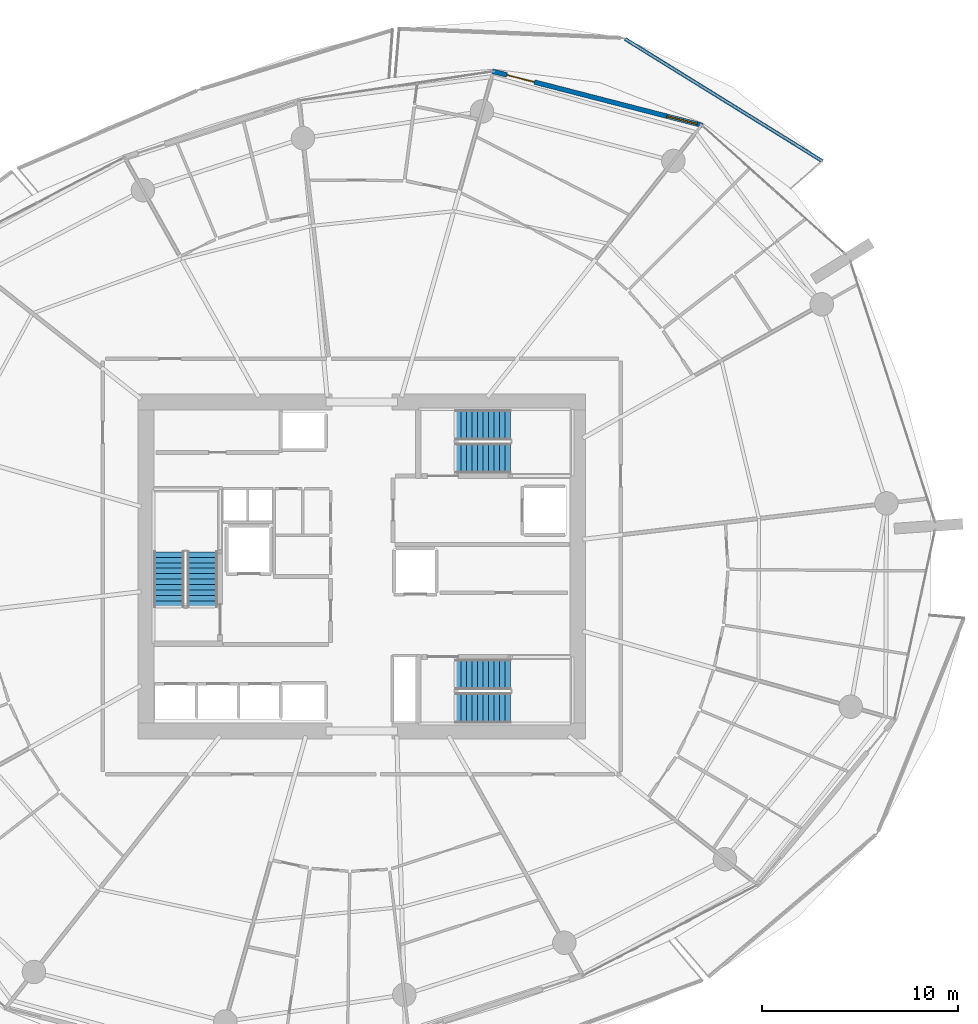
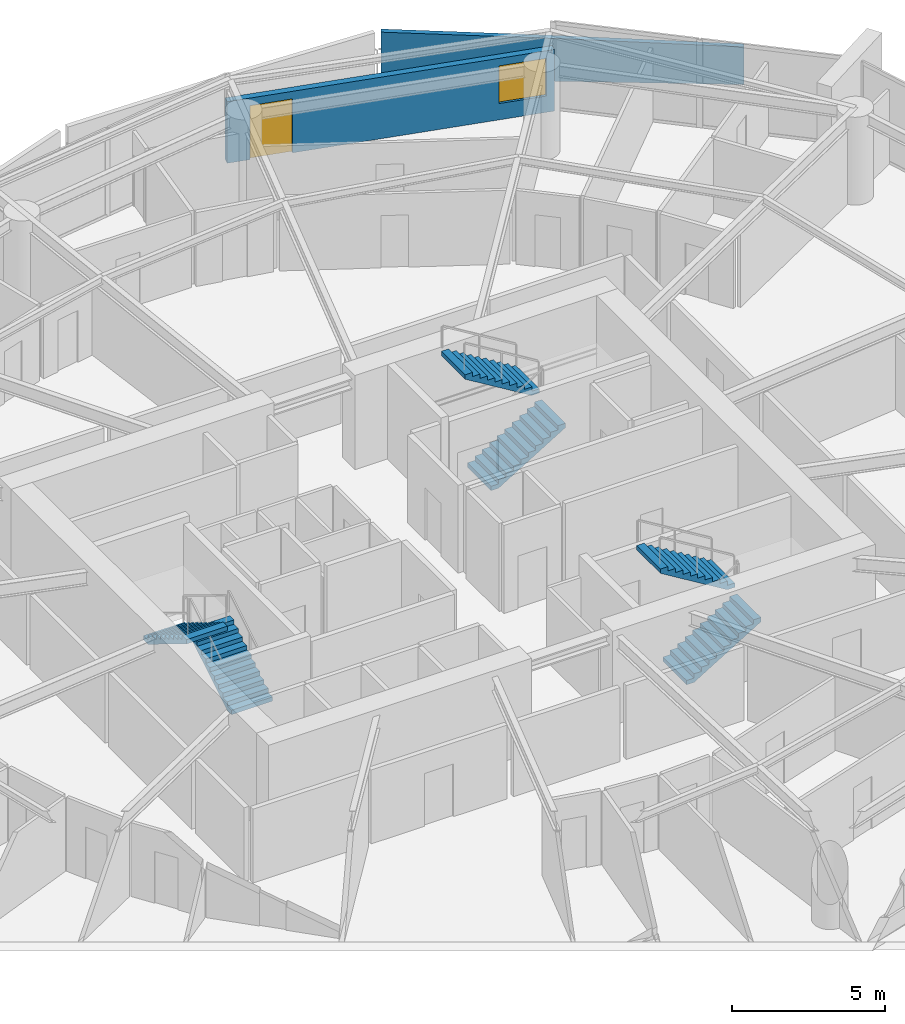
# One storey, part 16 of 23: 6 stair flights, 2 walls, 1 door, 1 window, 2 openings, 3 elements without a shape of their own.
"""IFC4 building model written with IfcOpenShell, lengths in metres."""

from ifc_helpers import new_model, si_unit, direction, frame, frame_2d, origin, place, context, subcontext, project, spatial, polyline, rectangle, outline, extrude, material, layer, layer_set, type_object, element, fill, aggregate, save


model = new_model("IFC4")

# Units and contexts
model_context = context("Model", 3, precision=1e-05, world=origin(), true_north=direction((0.0, 1.0)))
body_context = subcontext(model_context, "Body", "Model", "MODEL_VIEW")
ifc_project = project(units=[si_unit("LENGTHUNIT", "METRE"), si_unit("AREAUNIT", "SQUARE_METRE"), si_unit("VOLUMEUNIT", "CUBIC_METRE"), si_unit("PLANEANGLEUNIT", "RADIAN"), si_unit("MASSUNIT", "GRAM", prefix="KILO")], contexts=[model_context])

# Site, building, storey
site_placement = place(None, origin())
site = spatial("IfcSite", under=ifc_project, at=site_placement, CompositionType="ELEMENT")
building_placement = place(site_placement, origin())
building = spatial("IfcBuilding", under=site, at=building_placement, Name="Kazma Halo Residences", CompositionType="ELEMENT")
storey_placement = place(building_placement, frame((0.0, 0.0, 97.64990234375)))
storey = spatial("IfcBuildingStorey", under=building, at=storey_placement, Name="L24", CompositionType="ELEMENT", Elevation=97.64990234375)

# Wall
ifc_material_1 = material(Name="White Concrete C50/60 Balustrade", Category="concrete")
ifc_layer_1 = layer(ifc_material_1, 0.179931640625)
ifc_layer_set_1 = layer_set([ifc_layer_1], Name="White Concrete C50/60 Balustrade")
wall_type_1 = type_object("IfcWallType", Name="WL-BAL-WAVE-180", PredefinedType="PARAPET", material=ifc_layer_set_1)
wall_1_placement = place(storey_placement, frame((71.934814453125, 62.696533203125, 0.0), z_axis=(0.0, 0.0, 1.0), x_axis=(-0.850140442318, 0.526556006836, 0.0)))
element("IfcWall", 1, at=wall_1_placement, inside=storey, type_object=wall_type_1, Name="L24 white wave balustrade wall NE.1", PredefinedType="PARAPET", context=body_context, shape_type="SweptSolid", body=[
    extrude(outline(polyline([(0.0, 0.0), (11.8515625, 0.0), (11.8515625, 1.83203125), (5.92578125, 1.696044921875), (0.0, 1.4970703125), (0.0, 0.0)])), frame((0.0, 0.08984375, 0.0), z_axis=(0.0, -1.0, 0.0), x_axis=(1.0, 0.0, 0.0)), (0.0, 0.0, 1.0), 0.179931640625),
])

# Wall, openings, door, window
ifc_material_2 = material(Name="Insulated Pale-Metal Composite Wall")
ifc_layer_2 = layer(ifc_material_2, 0.239990234375)
ifc_layer_set_2 = layer_set([ifc_layer_2], Name="Insulated Pale-Metal Composite Wall")
wall_type_2 = type_object("IfcWallType", Name="WL-EXT-HOST-240", PredefinedType="SOLIDWALL", material=ifc_layer_set_2)
wall_2_placement = place(storey_placement, frame((65.81396484375, 64.52294921875, 0.0), z_axis=(0.0, 0.0, 1.0), x_axis=(-0.968356180858, 0.249572248045, 0.0)))
wall_2 = element("IfcWall", 2, at=wall_2_placement, inside=storey, type_object=wall_type_2, Name="L24 exterior terrace-access wall B02", PredefinedType="SOLIDWALL", context=body_context, shape_type="SweptSolid", body=[
    extrude(rectangle(XDim=11.08447265625, YDim=0.239990234375, at=frame_2d((5.542236328125, 0.0))), origin(), (0.0, 0.0, 1.0), 2.4501953125),
])
opening_1_placement = place(wall_2_placement, frame((8.864501953125, 0.0, 0.0)))
opening_1 = element("IfcOpeningElement", 3, at=opening_1_placement, cuts=wall_2, Name="Opening DTR-1600", PredefinedType="OPENING", context=body_context, shape_type="SweptSolid", body=[
    extrude(rectangle(XDim=1.449951171875, YDim=2.14990234375, at=frame_2d((0.72509765625, 1.074951171875))), frame((0.0, 0.1298828125, 0.0), z_axis=(0.0, -1.0, 0.0), x_axis=(1.0, 0.0, 0.0)), (0.0, 0.0, 1.0), 0.260009765625),
])
opening_2_placement = place(wall_2_placement, frame((0.280029296875, 0.0, 0.64990234375)))
opening_2 = element("IfcOpeningElement", 4, at=opening_2_placement, cuts=wall_2, Name="Opening W-1800", PredefinedType="OPENING", context=body_context, shape_type="SweptSolid", body=[
    extrude(rectangle(XDim=1.60009765625, YDim=1.5, at=frame_2d((0.800048828125, 0.75))), frame((0.0, 0.1298828125, 0.0), z_axis=(0.0, -1.0, 0.0), x_axis=(1.0, 0.0, 0.0)), (0.0, 0.0, 1.0), 0.260009765625),
])
ifc_material_3 = material(Name="Aluminium AW-6063 T6 Double-Glazed Terrace Door", Category="aluminium")
door_type = type_object("IfcDoorType", Name="DR-EXT-TERR-1600", OperationType="NOTDEFINED", PredefinedType="DOOR", material=ifc_material_3)
door_placement = place(opening_1_placement, origin())
door = element("IfcDoor", 5, at=door_placement, inside=storey, type_object=door_type, Name="L24 B02 balcony terrace door", OperationType="DOUBLE_DOOR_SLIDING", OverallHeight=2.14990234375, OverallWidth=1.449951171875, PredefinedType="DOOR", context=body_context, shape_type="SweptSolid", body=[
    extrude(rectangle(XDim=1.449951171875, YDim=2.14990234375, at=frame_2d((0.72509765625, 1.074951171875))), frame((0.0, 0.02490234375, 0.0), z_axis=(0.0, -1.0, 0.0), x_axis=(1.0, 0.0, 0.0)), (0.0, 0.0, 1.0), 0.050048828125),
])
fill(opening_1, door)
ifc_material_4 = material(Name="Clear Triple-Silver Low-E Glass in Aluminium AW-6063 T6 Frame", Category="aluminium")
window_type = type_object("IfcWindowType", Name="WIN-RES-1800", PartitioningType="DOUBLE_PANEL_VERTICAL", PredefinedType="WINDOW", material=ifc_material_4)
window_placement = place(opening_2_placement, origin())
window = element("IfcWindow", 6, at=window_placement, inside=storey, type_object=window_type, Name="L24 B02 apartment window", OverallHeight=1.5, OverallWidth=1.60009765625, PartitioningType="SINGLE_PANEL", PredefinedType="WINDOW", context=body_context, shape_type="SweptSolid", body=[
    extrude(rectangle(XDim=1.60009765625, YDim=1.5, at=frame_2d((0.800048828125, 0.75))), frame((0.0, 0.030029296875, 0.0), z_axis=(0.0, -1.0, 0.0), x_axis=(1.0, 0.0, 0.0)), (0.0, 0.0, 1.0), 0.06005859375),
])
fill(opening_2, window)

# Stair, stair flights
ifc_material_5 = material(Name="Concrete C50/60", Category="concrete")
stair_type = type_object("IfcStairType", Name="STR-RES1", PredefinedType="HALF_TURN_STAIR", material=ifc_material_5)
stair_1_placement = place(storey_placement, origin())
stair_1 = element("IfcStair", 7, at=stair_1_placement, inside=storey, type_object=stair_type, Name="L24 Core exit stair ST-01", PredefinedType="HALF_TURN_STAIR")
stair_flight_type = type_object("IfcStairFlightType", Name="STR-RES1-FLT", PredefinedType="STRAIGHT", material=ifc_material_5)
stair_flight_1_placement = place(storey_placement, frame((40.27490234375, 39.949951171875, 0.0), z_axis=(0.0, 0.0, 1.0), x_axis=(0.0, 1.0, 0.0)))
stair_flight_1 = element("IfcStairFlight", 8, at=stair_flight_1_placement, type_object=stair_flight_type, Name="ST-01 flight 1", NumberOfRisers=11, NumberOfTreads=10, PredefinedType="STRAIGHT", RiserHeight=0.170454545, TreadLength=0.28, context=body_context, shape_type="SweptSolid", body=[
    extrude(outline(polyline([(0.0, 0.0), (0.0, 0.17041015625), (0.280029296875, 0.17041015625), (0.280029296875, 0.3408203125), (0.56005859375, 0.3408203125), (0.56005859375, 0.511474609375), (0.840087890625, 0.511474609375), (0.840087890625, 0.681884765625), (1.1201171875, 0.681884765625), (1.1201171875, 0.852294921875), (1.39990234375, 0.852294921875), (1.39990234375, 1.022705078125), (1.679931640625, 1.022705078125), (1.679931640625, 1.193115234375), (1.9599609375, 1.193115234375), (1.9599609375, 1.363525390625), (2.239990234375, 1.363525390625), (2.239990234375, 1.5341796875), (2.52001953125, 1.5341796875), (2.52001953125, 1.70458984375), (2.800048828125, 1.70458984375), (2.800048828125, 1.875), (2.800048828125, 1.529052734375), (0.288330078125, 0.0), (0.0, 0.0)])), frame((0.0, 0.77490234375, 0.0), z_axis=(0.0, -1.0, 0.0), x_axis=(1.0, 0.0, 0.0)), (0.0, 0.0, 1.0), 1.550048828125),
])
stair_flight_2_placement = place(storey_placement, frame((38.574951171875, 42.75, 1.875), z_axis=(0.0, 0.0, 1.0), x_axis=(0.0, -1.0, 0.0)))
stair_flight_2 = element("IfcStairFlight", 9, at=stair_flight_2_placement, type_object=stair_flight_type, Name="ST-01 flight 2", NumberOfRisers=11, NumberOfTreads=10, PredefinedType="STRAIGHT", RiserHeight=0.170454545, TreadLength=0.28, context=body_context, shape_type="SweptSolid", body=[
    extrude(outline(polyline([(0.0, 0.0), (0.0, 0.17041015625), (0.280029296875, 0.17041015625), (0.280029296875, 0.3408203125), (0.56005859375, 0.3408203125), (0.56005859375, 0.511474609375), (0.840087890625, 0.511474609375), (0.840087890625, 0.681884765625), (1.1201171875, 0.681884765625), (1.1201171875, 0.852294921875), (1.39990234375, 0.852294921875), (1.39990234375, 1.022705078125), (1.679931640625, 1.022705078125), (1.679931640625, 1.193115234375), (1.9599609375, 1.193115234375), (1.9599609375, 1.363525390625), (2.239990234375, 1.363525390625), (2.239990234375, 1.5341796875), (2.52001953125, 1.5341796875), (2.52001953125, 1.70458984375), (2.800048828125, 1.70458984375), (2.800048828125, 1.875), (2.800048828125, 1.529052734375), (0.288330078125, 0.0), (0.0, 0.0)])), frame((0.0, 0.77490234375, 0.0), z_axis=(0.0, -1.0, 0.0), x_axis=(1.0, 0.0, 0.0)), (0.0, 0.0, 1.0), 1.550048828125),
])
aggregate(stair_1, [stair_flight_1, stair_flight_2])

stair_2_placement = place(storey_placement, origin())
stair_2 = element("IfcStair", 10, at=stair_2_placement, inside=storey, type_object=stair_type, Name="L24 Core exit stair ST-02", PredefinedType="HALF_TURN_STAIR")
stair_flight_3_placement = place(storey_placement, frame((53.199951171875, 47.52490234375, 0.0), z_axis=(0.0, 0.0, 1.0), x_axis=(1.0, 0.0, 0.0)))
stair_flight_3 = element("IfcStairFlight", 11, at=stair_flight_3_placement, type_object=stair_flight_type, Name="ST-02 flight 1", NumberOfRisers=11, NumberOfTreads=10, PredefinedType="STRAIGHT", RiserHeight=0.170454545, TreadLength=0.28, context=body_context, shape_type="SweptSolid", body=[
    extrude(outline(polyline([(0.0, 0.0), (0.0, 0.17041015625), (0.280029296875, 0.17041015625), (0.280029296875, 0.3408203125), (0.56005859375, 0.3408203125), (0.56005859375, 0.511474609375), (0.840087890625, 0.511474609375), (0.840087890625, 0.681884765625), (1.1201171875, 0.681884765625), (1.1201171875, 0.852294921875), (1.39990234375, 0.852294921875), (1.39990234375, 1.022705078125), (1.679931640625, 1.022705078125), (1.679931640625, 1.193115234375), (1.9599609375, 1.193115234375), (1.9599609375, 1.363525390625), (2.239990234375, 1.363525390625), (2.239990234375, 1.5341796875), (2.52001953125, 1.5341796875), (2.52001953125, 1.70458984375), (2.800048828125, 1.70458984375), (2.800048828125, 1.875), (2.800048828125, 1.529052734375), (0.288330078125, 0.0), (0.0, 0.0)])), frame((0.0, 0.77490234375, 0.0), z_axis=(0.0, -1.0, 0.0), x_axis=(1.0, 0.0, 0.0)), (0.0, 0.0, 1.0), 1.550048828125),
])
stair_flight_4_placement = place(storey_placement, frame((56.0, 49.22509765625, 1.875), z_axis=(0.0, 0.0, 1.0), x_axis=(-1.0, 0.0, 0.0)))
stair_flight_4 = element("IfcStairFlight", 12, at=stair_flight_4_placement, type_object=stair_flight_type, Name="ST-02 flight 2", NumberOfRisers=11, NumberOfTreads=10, PredefinedType="STRAIGHT", RiserHeight=0.170454545, TreadLength=0.28, context=body_context, shape_type="SweptSolid", body=[
    extrude(outline(polyline([(0.0, 0.0), (0.0, 0.17041015625), (0.280029296875, 0.17041015625), (0.280029296875, 0.3408203125), (0.56005859375, 0.3408203125), (0.56005859375, 0.511474609375), (0.840087890625, 0.511474609375), (0.840087890625, 0.681884765625), (1.1201171875, 0.681884765625), (1.1201171875, 0.852294921875), (1.39990234375, 0.852294921875), (1.39990234375, 1.022705078125), (1.679931640625, 1.022705078125), (1.679931640625, 1.193115234375), (1.9599609375, 1.193115234375), (1.9599609375, 1.363525390625), (2.239990234375, 1.363525390625), (2.239990234375, 1.5341796875), (2.52001953125, 1.5341796875), (2.52001953125, 1.70458984375), (2.800048828125, 1.70458984375), (2.800048828125, 1.875), (2.800048828125, 1.529052734375), (0.288330078125, 0.0), (0.0, 0.0)])), frame((0.0, 0.77490234375, 0.0), z_axis=(0.0, -1.0, 0.0), x_axis=(1.0, 0.0, 0.0)), (0.0, 0.0, 1.0), 1.550048828125),
])
aggregate(stair_2, [stair_flight_3, stair_flight_4])

stair_3_placement = place(storey_placement, origin())
stair_3 = element("IfcStair", 13, at=stair_3_placement, inside=storey, type_object=stair_type, Name="L24 Core exit stair ST-03", PredefinedType="HALF_TURN_STAIR")
stair_flight_5_placement = place(storey_placement, frame((53.199951171875, 34.77490234375, 0.0), z_axis=(0.0, 0.0, 1.0), x_axis=(1.0, 0.0, 0.0)))
stair_flight_5 = element("IfcStairFlight", 14, at=stair_flight_5_placement, type_object=stair_flight_type, Name="ST-03 flight 1", NumberOfRisers=11, NumberOfTreads=10, PredefinedType="STRAIGHT", RiserHeight=0.170454545, TreadLength=0.28, context=body_context, shape_type="SweptSolid", body=[
    extrude(outline(polyline([(0.0, 0.0), (0.0, 0.17041015625), (0.280029296875, 0.17041015625), (0.280029296875, 0.3408203125), (0.56005859375, 0.3408203125), (0.56005859375, 0.511474609375), (0.840087890625, 0.511474609375), (0.840087890625, 0.681884765625), (1.1201171875, 0.681884765625), (1.1201171875, 0.852294921875), (1.39990234375, 0.852294921875), (1.39990234375, 1.022705078125), (1.679931640625, 1.022705078125), (1.679931640625, 1.193115234375), (1.9599609375, 1.193115234375), (1.9599609375, 1.363525390625), (2.239990234375, 1.363525390625), (2.239990234375, 1.5341796875), (2.52001953125, 1.5341796875), (2.52001953125, 1.70458984375), (2.800048828125, 1.70458984375), (2.800048828125, 1.875), (2.800048828125, 1.529052734375), (0.288330078125, 0.0), (0.0, 0.0)])), frame((0.0, 0.77490234375, 0.0), z_axis=(0.0, -1.0, 0.0), x_axis=(1.0, 0.0, 0.0)), (0.0, 0.0, 1.0), 1.550048828125),
])
stair_flight_6_placement = place(storey_placement, frame((56.0, 36.47509765625, 1.875), z_axis=(0.0, 0.0, 1.0), x_axis=(-1.0, 0.0, 0.0)))
stair_flight_6 = element("IfcStairFlight", 15, at=stair_flight_6_placement, type_object=stair_flight_type, Name="ST-03 flight 2", NumberOfRisers=11, NumberOfTreads=10, PredefinedType="STRAIGHT", RiserHeight=0.170454545, TreadLength=0.28, context=body_context, shape_type="SweptSolid", body=[
    extrude(outline(polyline([(0.0, 0.0), (0.0, 0.17041015625), (0.280029296875, 0.17041015625), (0.280029296875, 0.3408203125), (0.56005859375, 0.3408203125), (0.56005859375, 0.511474609375), (0.840087890625, 0.511474609375), (0.840087890625, 0.681884765625), (1.1201171875, 0.681884765625), (1.1201171875, 0.852294921875), (1.39990234375, 0.852294921875), (1.39990234375, 1.022705078125), (1.679931640625, 1.022705078125), (1.679931640625, 1.193115234375), (1.9599609375, 1.193115234375), (1.9599609375, 1.363525390625), (2.239990234375, 1.363525390625), (2.239990234375, 1.5341796875), (2.52001953125, 1.5341796875), (2.52001953125, 1.70458984375), (2.800048828125, 1.70458984375), (2.800048828125, 1.875), (2.800048828125, 1.529052734375), (0.288330078125, 0.0), (0.0, 0.0)])), frame((0.0, 0.77490234375, 0.0), z_axis=(0.0, -1.0, 0.0), x_axis=(1.0, 0.0, 0.0)), (0.0, 0.0, 1.0), 1.550048828125),
])
aggregate(stair_3, [stair_flight_5, stair_flight_6])

save(model, "model.ifc")
